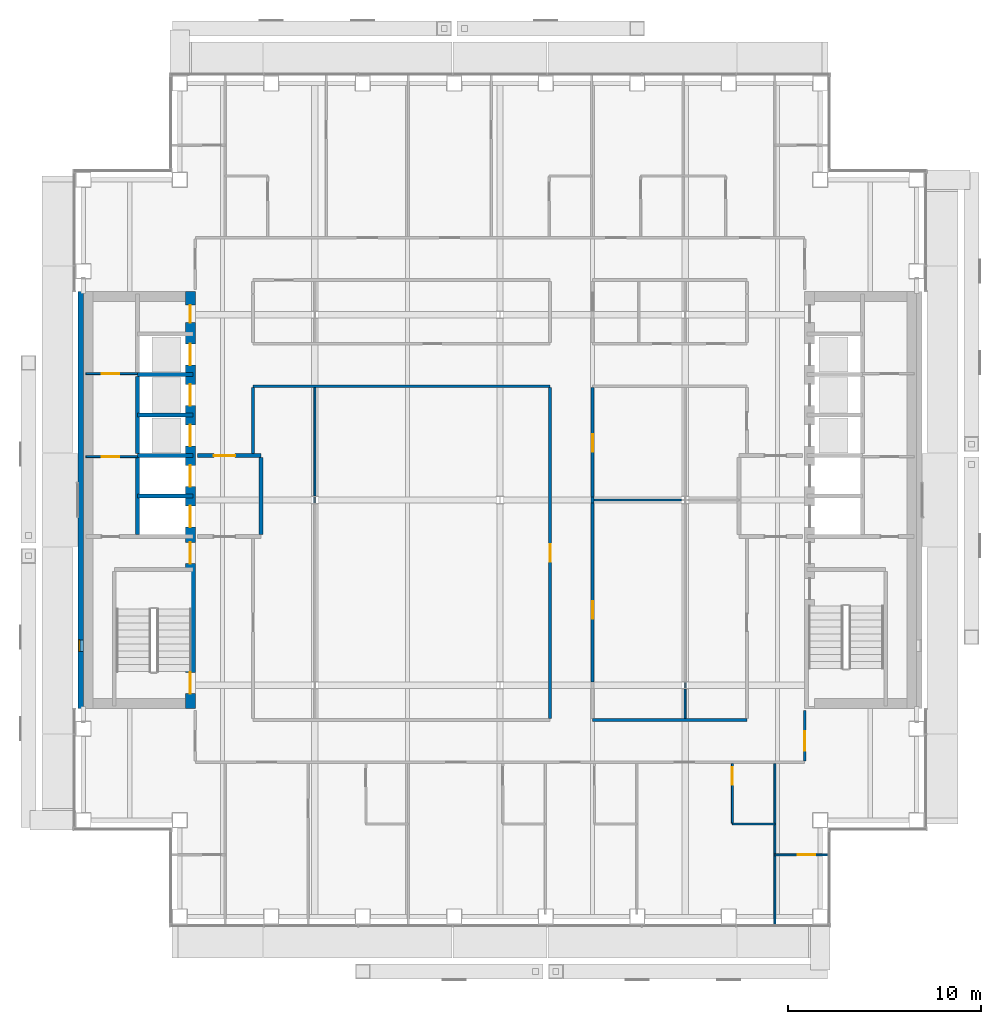
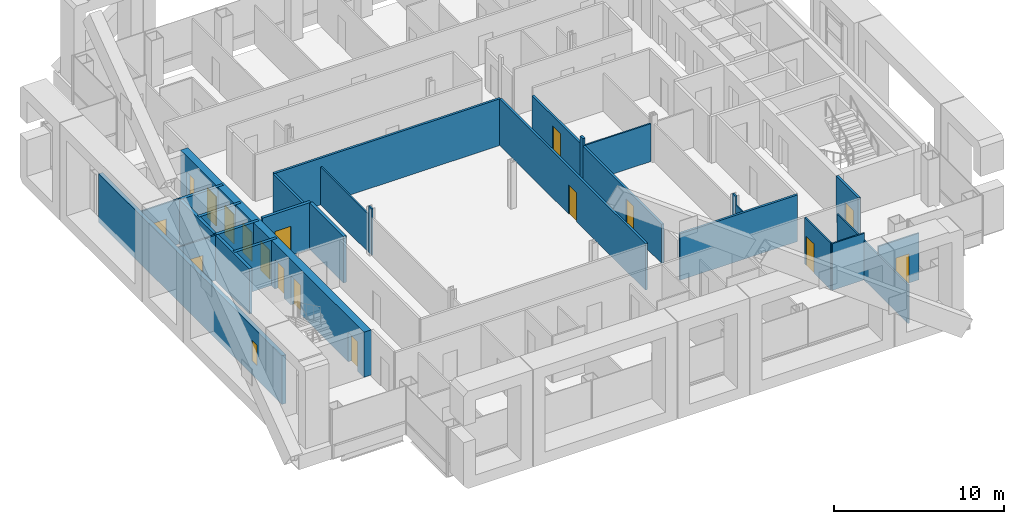
# One storey, part 13 of 22: 29 walls, 17 doors, 1 window, 18 openings.
"""IFC4 building model written with IfcOpenShell, lengths in metres."""

from ifc_helpers import new_model, si_unit, direction, frame, frame_2d, origin, place, context, subcontext, project, spatial, rectangle, extrude, material, layer, layer_set, type_object, element, fill, save


model = new_model("IFC4")

# Units and contexts
model_context = context("Model", 3, precision=1e-05, world=origin(), true_north=direction((0.0, 1.0)))
body_context = subcontext(model_context, "Body", "Model", "MODEL_VIEW")
ifc_project = project(units=[si_unit("LENGTHUNIT", "METRE"), si_unit("AREAUNIT", "SQUARE_METRE"), si_unit("VOLUMEUNIT", "CUBIC_METRE"), si_unit("PLANEANGLEUNIT", "RADIAN"), si_unit("MASSUNIT", "GRAM", prefix="KILO")], contexts=[model_context])

# Site, building, storey
site_placement = place(None, origin())
site = spatial("IfcSite", under=ifc_project, at=site_placement, CompositionType="ELEMENT")
building_placement = place(site_placement, origin())
building = spatial("IfcBuilding", under=site, at=building_placement, Name="Cobrizo Arcos Hotel Tower", CompositionType="ELEMENT")
storey_placement = place(building_placement, frame((0.0, 0.0, 155.0)))
storey = spatial("IfcBuildingStorey", under=building, at=storey_placement, Name="L39", CompositionType="ELEMENT", Elevation=155.0)

# Walls
ifc_material_1 = material(Name="Gypsum board partition")
ifc_layer_1 = layer(ifc_material_1, 0.14990234375)
ifc_layer_set_1 = layer_set([ifc_layer_1], Name="Corridor wall EI 60 150")
wall_type_1 = type_object("IfcWallType", Name="Corridor wall EI 60 150", PredefinedType="PARTITIONING", material=ifc_layer_set_1)
wall_1_placement = place(storey_placement, frame((4.800048828125, -11.39990234375, 0.0), z_axis=(0.0, 0.0, 1.0), x_axis=(1.0, 0.0, 0.0)))
element("IfcWall", 1, at=wall_1_placement, inside=storey, type_object=wall_type_1, Name="Partition 009", PredefinedType="PARTITIONING", context=body_context, shape_type="SweptSolid", body=[
    extrude(rectangle(XDim=8.0, YDim=0.14990234375, at=frame_2d((4.0, 0.0))), origin(), (0.0, 0.0, 1.0), 3.35009765625),
])
wall_2_placement = place(storey_placement, frame((-12.800048828125, 5.89990234375, 0.0), z_axis=(0.0, 0.0, 1.0), x_axis=(1.0, 0.0, 0.0)))
element("IfcWall", 2, at=wall_2_placement, inside=storey, type_object=wall_type_1, Name="Partition 029", PredefinedType="PARTITIONING", context=body_context, shape_type="SweptSolid", body=[
    extrude(rectangle(XDim=15.400146484375, YDim=0.14990234375, at=frame_2d((7.7001953125, 0.0))), origin(), (0.0, 0.0, 1.0), 3.35009765625),
])
wall_3_placement = place(storey_placement, frame((-12.800048828125, 2.39990234375, 0.0), z_axis=(0.0, 0.0, 1.0), x_axis=(0.0, 1.0, 0.0)))
element("IfcWall", 3, at=wall_3_placement, inside=storey, type_object=wall_type_1, Name="Partition 057", PredefinedType="PARTITIONING", context=body_context, shape_type="SweptSolid", body=[
    extrude(rectangle(XDim=3.425048828125, YDim=0.14990234375, at=frame_2d((1.71240234375, 0.0))), origin(), (0.0, 0.0, 1.0), 3.35009765625),
])

# Wall, opening, door
wall_4_placement = place(storey_placement, frame((2.60009765625, -11.324951171875, 0.0), z_axis=(0.0, 0.0, 1.0), x_axis=(0.0, 1.0, 0.0)))
wall_4 = element("IfcWall", 4, at=wall_4_placement, inside=storey, type_object=wall_type_1, Name="Partition 079", PredefinedType="PARTITIONING", context=body_context, shape_type="SweptSolid", body=[
    extrude(rectangle(XDim=17.14990234375, YDim=0.14990234375, at=frame_2d((8.574951171875, 0.0))), origin(), (0.0, 0.0, 1.0), 3.35009765625),
])
opening_1_placement = place(wall_4_placement, frame((8.125, 0.0, 0.0)))
opening_1 = element("IfcOpeningElement", 5, at=opening_1_placement, cuts=wall_4, Name="Opening RD-19", PredefinedType="OPENING", context=body_context, shape_type="SweptSolid", body=[
    extrude(rectangle(XDim=0.89990234375, YDim=2.10009765625, at=frame_2d((0.449951171875, 1.050048828125))), frame((0.0, 0.0869140625, 0.0), z_axis=(0.0, -1.0, 0.0), x_axis=(1.0, 0.0, 0.0)), (0.0, 0.0, 1.0), 0.173828125),
])
ifc_material_2 = material(Name="Timber door leaf", Category="wood")
door_type_1 = type_object("IfcDoorType", Name="Room door FD30 900x2100", OperationType="SINGLE_SWING_LEFT", PredefinedType="DOOR", material=ifc_material_2)
door_1_placement = place(opening_1_placement, origin())
door_1 = element("IfcDoor", 6, at=door_1_placement, inside=storey, type_object=door_type_1, Name="Door RD-19", OperationType="SINGLE_SWING_LEFT", OverallHeight=2.10009765625, OverallWidth=0.89990234375, PredefinedType="DOOR", context=body_context, shape_type="SweptSolid", body=[
    extrude(rectangle(XDim=0.89990234375, YDim=2.10009765625, at=frame_2d((0.449951171875, 1.050048828125))), frame((0.0, 0.02490234375, 0.0), z_axis=(0.0, -1.0, 0.0), x_axis=(1.0, 0.0, 0.0)), (0.0, 0.0, 1.0), 0.050048828125),
])
fill(opening_1, door_1)

wall_5_placement = place(storey_placement, frame((4.800048828125, -9.43603515625, 0.0), z_axis=(0.0, 0.0, 1.0), x_axis=(0.0, 1.0, 0.0)))
wall_5 = element("IfcWall", 7, at=wall_5_placement, inside=storey, type_object=wall_type_1, Name="Partition 084", PredefinedType="PARTITIONING", context=body_context, shape_type="SweptSolid", body=[
    extrude(rectangle(XDim=9.27197265625, YDim=0.14990234375, at=frame_2d((4.635986328125, 0.0))), origin(), (0.0, 0.0, 1.0), 2.81689453125),
])
opening_2_placement = place(wall_5_placement, frame((3.285888671875, 0.0, 0.0)))
opening_2 = element("IfcOpeningElement", 8, at=opening_2_placement, cuts=wall_5, Name="Opening RD-18", PredefinedType="OPENING", context=body_context, shape_type="SweptSolid", body=[
    extrude(rectangle(XDim=0.89990234375, YDim=2.10009765625, at=frame_2d((0.449951171875, 1.050048828125))), frame((0.0, 0.0869140625, 0.0), z_axis=(0.0, -1.0, 0.0), x_axis=(1.0, 0.0, 0.0)), (0.0, 0.0, 1.0), 0.173828125),
])
door_2_placement = place(opening_2_placement, origin())
door_2 = element("IfcDoor", 9, at=door_2_placement, inside=storey, type_object=door_type_1, Name="Door RD-18", OperationType="SINGLE_SWING_LEFT", OverallHeight=2.10009765625, OverallWidth=0.89990234375, PredefinedType="DOOR", context=body_context, shape_type="SweptSolid", body=[
    extrude(rectangle(XDim=0.89990234375, YDim=2.10009765625, at=frame_2d((0.449951171875, 1.050048828125))), frame((0.0, 0.02490234375, 0.0), z_axis=(0.0, -1.0, 0.0), x_axis=(1.0, 0.0, 0.0)), (0.0, 0.0, 1.0), 0.050048828125),
])
fill(opening_2, door_2)

# Wall
wall_6_placement = place(storey_placement, frame((4.800048828125, -0.1640625, 0.0), z_axis=(0.0, 0.0, 1.0), x_axis=(0.0, 1.0, 0.0)))
element("IfcWall", 10, at=wall_6_placement, inside=storey, type_object=wall_type_1, Name="Partition 085", PredefinedType="PARTITIONING", context=body_context, shape_type="SweptSolid", body=[
    extrude(rectangle(XDim=0.328125, YDim=0.14990234375, at=frame_2d((0.1640625, 0.0))), origin(), (0.0, 0.0, 1.0), 3.35009765625),
])

# Wall, opening, door
wall_7_placement = place(storey_placement, frame((4.800048828125, 0.1640625, 0.0), z_axis=(0.0, 0.0, 1.0), x_axis=(0.0, 1.0, 0.0)))
wall_7 = element("IfcWall", 11, at=wall_7_placement, inside=storey, type_object=wall_type_1, Name="Partition 086", PredefinedType="PARTITIONING", context=body_context, shape_type="SweptSolid", body=[
    extrude(rectangle(XDim=5.660888671875, YDim=0.14990234375, at=frame_2d((2.83056640625, 0.0))), origin(), (0.0, 0.0, 1.0), 2.81689453125),
])
opening_3_placement = place(wall_7_placement, frame((2.3359375, 0.0, 0.0)))
opening_3 = element("IfcOpeningElement", 12, at=opening_3_placement, cuts=wall_7, Name="Opening RD-14", PredefinedType="OPENING", context=body_context, shape_type="SweptSolid", body=[
    extrude(rectangle(XDim=0.89990234375, YDim=2.10009765625, at=frame_2d((0.449951171875, 1.050048828125))), frame((0.0, 0.0869140625, 0.0), z_axis=(0.0, -1.0, 0.0), x_axis=(1.0, 0.0, 0.0)), (0.0, 0.0, 1.0), 0.173828125),
])
door_3_placement = place(opening_3_placement, origin())
door_3 = element("IfcDoor", 13, at=door_3_placement, inside=storey, type_object=door_type_1, Name="Door RD-14", OperationType="SINGLE_SWING_RIGHT", OverallHeight=2.10009765625, OverallWidth=0.89990234375, PredefinedType="DOOR", context=body_context, shape_type="SweptSolid", body=[
    extrude(rectangle(XDim=0.89990234375, YDim=2.10009765625, at=frame_2d((0.449951171875, 1.050048828125))), frame((0.0, 0.02490234375, 0.0), z_axis=(0.0, -1.0, 0.0), x_axis=(1.0, 0.0, 0.0)), (0.0, 0.0, 1.0), 0.050048828125),
])
fill(opening_3, door_3)

wall_8_placement = place(storey_placement, frame((15.800048828125, -13.52490234375, 0.0), z_axis=(0.0, 0.0, 1.0), x_axis=(0.0, 1.0, 0.0)))
wall_8 = element("IfcWall", 14, at=wall_8_placement, inside=storey, type_object=wall_type_1, Name="Partition 112", PredefinedType="PARTITIONING", context=body_context, shape_type="SweptSolid", body=[
    extrude(rectangle(XDim=2.60498046875, YDim=0.14990234375, at=frame_2d((1.302490234375, 0.0))), origin(), (0.0, 0.0, 1.0), 3.35009765625),
])
opening_4_placement = place(wall_8_placement, frame((0.52490234375, 0.0, 0.0)))
opening_4 = element("IfcOpeningElement", 15, at=opening_4_placement, cuts=wall_8, Name="Opening GD-11", PredefinedType="OPENING", context=body_context, shape_type="SweptSolid", body=[
    extrude(rectangle(XDim=1.0, YDim=2.10009765625, at=frame_2d((0.5, 1.050048828125))), frame((0.0, 0.0869140625, 0.0), z_axis=(0.0, -1.0, 0.0), x_axis=(1.0, 0.0, 0.0)), (0.0, 0.0, 1.0), 0.173828125),
])
door_type_2 = type_object("IfcDoorType", Name="Guest room door FD30S 1000x2100", OperationType="SINGLE_SWING_LEFT", PredefinedType="DOOR", material=ifc_material_2)
door_4_placement = place(opening_4_placement, origin())
door_4 = element("IfcDoor", 16, at=door_4_placement, inside=storey, type_object=door_type_2, Name="Door GD-11", OperationType="SINGLE_SWING_LEFT", OverallHeight=2.10009765625, OverallWidth=1.0, PredefinedType="DOOR", context=body_context, shape_type="SweptSolid", body=[
    extrude(rectangle(XDim=1.0, YDim=2.10009765625, at=frame_2d((0.5, 1.050048828125))), frame((0.0, 0.02490234375, 0.0), z_axis=(0.0, -1.0, 0.0), x_axis=(1.0, 0.0, 0.0)), (0.0, 0.0, 1.0), 0.050048828125),
])
fill(opening_4, door_4)

# Wall, opening, window
ifc_material_3 = material(Name="Aluminium composite panel pale metal", Category="aluminium")
ifc_layer_2 = layer(ifc_material_3, 0.27490234375)
ifc_layer_set_2 = layer_set([ifc_layer_2], Name="EW-1 insulated panel wall 275")
wall_type_2 = type_object("IfcWallType", Name="EW-1 insulated panel wall 275", PredefinedType="SOLIDWALL", material=ifc_layer_set_2)
wall_9_placement = place(storey_placement, frame((-21.737548828125, 10.800048828125, 0.0), z_axis=(0.0, 0.0, 1.0), x_axis=(0.0, -1.0, 0.0)))
wall_9 = element("IfcWall", 17, at=wall_9_placement, inside=storey, type_object=wall_type_2, Name="Core face wall L39 W", PredefinedType="SOLIDWALL", context=body_context, shape_type="SweptSolid", body=[
    extrude(rectangle(XDim=21.60009765625, YDim=0.27490234375, at=frame_2d((10.800048828125, 0.0))), origin(), (0.0, 0.0, 1.0), 3.5),
])
opening_5_placement = place(wall_9_placement, frame((18.050048828125, 0.0, 1.0)))
opening_5 = element("IfcOpeningElement", 18, at=opening_5_placement, cuts=wall_9, Name="Opening W-86", PredefinedType="OPENING", context=body_context, shape_type="SweptSolid", body=[
    extrude(rectangle(XDim=0.60009765625, YDim=1.5, at=frame_2d((0.300048828125, 0.75))), frame((0.0, 0.1494140625, 0.0), z_axis=(0.0, -1.0, 0.0), x_axis=(1.0, 0.0, 0.0)), (0.0, 0.0, 1.0), 0.298828125),
])
ifc_material_4 = material(Name="Aluminium 6063-T6 and clear laminated glass", Category="aluminium")
window_type = type_object("IfcWindowType", Name="W-C1 core stair slot window 600x1500", PartitioningType="SINGLE_PANEL", PredefinedType="WINDOW", material=ifc_material_4)
window_placement = place(opening_5_placement, origin())
window = element("IfcWindow", 19, at=window_placement, inside=storey, type_object=window_type, Name="Core face wall L39 W window W-86", OverallHeight=1.5, OverallWidth=0.60009765625, PartitioningType="SINGLE_PANEL", PredefinedType="WINDOW", context=body_context, shape_type="SweptSolid", body=[
    extrude(rectangle(XDim=0.60009765625, YDim=1.5, at=frame_2d((0.300048828125, 0.75))), frame((0.0, -0.04736328125, 0.0), z_axis=(0.0, -1.0, 0.0), x_axis=(1.0, 0.0, 0.0)), (0.0, 0.0, 1.0), 0.06005859375),
])
fill(opening_5, window)

# Wall, opening, door
ifc_layer_3 = layer(ifc_material_1, 0.10009765625)
ifc_layer_set_3 = layer_set([ifc_layer_3], Name="Partition EI 30 100")
wall_type_3 = type_object("IfcWallType", Name="Partition EI 30 100", PredefinedType="PARTITIONING", material=ifc_layer_set_3)
wall_10_placement = place(storey_placement, frame((14.25, -18.39990234375, 0.0), z_axis=(0.0, 0.0, 1.0), x_axis=(1.0, 0.0, 0.0)))
wall_10 = element("IfcWall", 20, at=wall_10_placement, inside=storey, type_object=wall_type_3, Name="Partition 002", PredefinedType="PARTITIONING", context=body_context, shape_type="SweptSolid", body=[
    extrude(rectangle(XDim=2.780029296875, YDim=0.10009765625, at=frame_2d((1.39013671875, 0.0))), origin(), (0.0, 0.0, 1.0), 3.35009765625),
])
opening_6_placement = place(wall_10_placement, frame((1.18896484375, 0.0, 0.0)))
opening_6 = element("IfcOpeningElement", 21, at=opening_6_placement, cuts=wall_10, Name="Opening ED-12", PredefinedType="OPENING", context=body_context, shape_type="SweptSolid", body=[
    extrude(rectangle(XDim=0.89990234375, YDim=2.10009765625, at=frame_2d((0.449951171875, 1.050048828125))), frame((0.0, 0.06201171875, 0.0), z_axis=(0.0, -1.0, 0.0), x_axis=(1.0, 0.0, 0.0)), (0.0, 0.0, 1.0), 0.1240234375),
])
door_type_3 = type_object("IfcDoorType", Name="En-suite door 900x2100", OperationType="SINGLE_SWING_LEFT", PredefinedType="DOOR", material=ifc_material_2)
door_5_placement = place(opening_6_placement, origin())
door_5 = element("IfcDoor", 22, at=door_5_placement, inside=storey, type_object=door_type_3, Name="Door ED-12", OperationType="SINGLE_SWING_LEFT", OverallHeight=2.10009765625, OverallWidth=0.89990234375, PredefinedType="DOOR", context=body_context, shape_type="SweptSolid", body=[
    extrude(rectangle(XDim=0.89990234375, YDim=2.10009765625, at=frame_2d((0.449951171875, 1.050048828125))), frame((0.0, 0.02490234375, 0.0), z_axis=(0.0, -1.0, 0.0), x_axis=(1.0, 0.0, 0.0)), (0.0, 0.0, 1.0), 0.050048828125),
])
fill(opening_6, door_5)

# Walls
wall_11_placement = place(storey_placement, frame((12.050048828125, -16.800048828125, 0.0), z_axis=(0.0, 0.0, 1.0), x_axis=(1.0, 0.0, 0.0)))
element("IfcWall", 23, at=wall_11_placement, inside=storey, type_object=wall_type_3, Name="Partition 006", PredefinedType="PARTITIONING", context=body_context, shape_type="SweptSolid", body=[
    extrude(rectangle(XDim=2.199951171875, YDim=0.10009765625, at=frame_2d((1.10009765625, 0.0))), origin(), (0.0, 0.0, 1.0), 3.35009765625),
])
wall_12_placement = place(storey_placement, frame((4.800048828125, 0.0, 0.0), z_axis=(0.0, 0.0, 1.0), x_axis=(1.0, 0.0, 0.0)))
element("IfcWall", 24, at=wall_12_placement, inside=storey, type_object=wall_type_3, Name="Partition 016", PredefinedType="PARTITIONING", context=body_context, shape_type="SweptSolid", body=[
    extrude(rectangle(XDim=4.613037109375, YDim=0.10009765625, at=frame_2d((2.306640625, 0.0))), origin(), (0.0, 0.0, 1.0), 2.72802734375),
])

# Wall, opening, door
wall_13_placement = place(storey_placement, frame((-21.47998046875, 2.25, 0.0), z_axis=(0.0, 0.0, 1.0), x_axis=(1.0, 0.0, 0.0)))
wall_13 = element("IfcWall", 25, at=wall_13_placement, inside=storey, type_object=wall_type_3, Name="Partition 021", PredefinedType="PARTITIONING", context=body_context, shape_type="SweptSolid", body=[
    extrude(rectangle(XDim=2.679931640625, YDim=0.10009765625, at=frame_2d((1.33984375, 0.0))), origin(), (0.0, 0.0, 1.0), 3.25),
])
opening_7_placement = place(wall_13_placement, frame((0.830078125, 0.0, 0.0)))
opening_7 = element("IfcOpeningElement", 26, at=opening_7_placement, cuts=wall_13, Name="Opening RD-02", PredefinedType="OPENING", context=body_context, shape_type="SweptSolid", body=[
    extrude(rectangle(XDim=0.89990234375, YDim=2.10009765625, at=frame_2d((0.449951171875, 1.050048828125))), frame((0.0, 0.06201171875, 0.0), z_axis=(0.0, -1.0, 0.0), x_axis=(1.0, 0.0, 0.0)), (0.0, 0.0, 1.0), 0.1240234375),
])
door_6_placement = place(opening_7_placement, origin())
door_6 = element("IfcDoor", 27, at=door_6_placement, inside=storey, type_object=door_type_1, Name="Door RD-02", OperationType="SINGLE_SWING_RIGHT", OverallHeight=2.10009765625, OverallWidth=0.89990234375, PredefinedType="DOOR", context=body_context, shape_type="SweptSolid", body=[
    extrude(rectangle(XDim=0.89990234375, YDim=2.10009765625, at=frame_2d((0.449951171875, 1.050048828125))), frame((0.0, 0.02490234375, 0.0), z_axis=(0.0, -1.0, 0.0), x_axis=(1.0, 0.0, 0.0)), (0.0, 0.0, 1.0), 0.050048828125),
])
fill(opening_7, door_6)

wall_14_placement = place(storey_placement, frame((-21.47998046875, 6.550048828125, 0.0), z_axis=(0.0, 0.0, 1.0), x_axis=(1.0, 0.0, 0.0)))
wall_14 = element("IfcWall", 28, at=wall_14_placement, inside=storey, type_object=wall_type_3, Name="Partition 033", PredefinedType="PARTITIONING", context=body_context, shape_type="SweptSolid", body=[
    extrude(rectangle(XDim=2.679931640625, YDim=0.10009765625, at=frame_2d((1.33984375, 0.0))), origin(), (0.0, 0.0, 1.0), 3.25),
])
opening_8_placement = place(wall_14_placement, frame((0.830078125, 0.0, 0.0)))
opening_8 = element("IfcOpeningElement", 29, at=opening_8_placement, cuts=wall_14, Name="Opening RD-03", PredefinedType="OPENING", context=body_context, shape_type="SweptSolid", body=[
    extrude(rectangle(XDim=0.89990234375, YDim=2.10009765625, at=frame_2d((0.449951171875, 1.050048828125))), frame((0.0, 0.06201171875, 0.0), z_axis=(0.0, -1.0, 0.0), x_axis=(1.0, 0.0, 0.0)), (0.0, 0.0, 1.0), 0.1240234375),
])
door_7_placement = place(opening_8_placement, origin())
door_7 = element("IfcDoor", 30, at=door_7_placement, inside=storey, type_object=door_type_1, Name="Door RD-03", OperationType="SINGLE_SWING_LEFT", OverallHeight=2.10009765625, OverallWidth=0.89990234375, PredefinedType="DOOR", context=body_context, shape_type="SweptSolid", body=[
    extrude(rectangle(XDim=0.89990234375, YDim=2.10009765625, at=frame_2d((0.449951171875, 1.050048828125))), frame((0.0, 0.02490234375, 0.0), z_axis=(0.0, -1.0, 0.0), x_axis=(1.0, 0.0, 0.0)), (0.0, 0.0, 1.0), 0.050048828125),
])
fill(opening_8, door_7)

# Walls
wall_15_placement = place(storey_placement, frame((-9.60009765625, -0.18701171875, 0.0), z_axis=(0.0, 0.0, 1.0), x_axis=(0.0, 1.0, 0.0)))
element("IfcWall", 31, at=wall_15_placement, inside=storey, type_object=wall_type_3, Name="Partition 066", PredefinedType="PARTITIONING", context=body_context, shape_type="SweptSolid", body=[
    extrude(rectangle(XDim=0.3740234375, YDim=0.10009765625, at=frame_2d((0.18701171875, 0.0))), origin(), (0.0, 0.0, 1.0), 3.35009765625),
])
wall_16_placement = place(storey_placement, frame((-9.60009765625, 0.18701171875, 0.0), z_axis=(0.0, 0.0, 1.0), x_axis=(0.0, 1.0, 0.0)))
element("IfcWall", 32, at=wall_16_placement, inside=storey, type_object=wall_type_3, Name="Partition 067", PredefinedType="PARTITIONING", context=body_context, shape_type="SweptSolid", body=[
    extrude(rectangle(XDim=5.637939453125, YDim=0.10009765625, at=frame_2d((2.81884765625, 0.0))), origin(), (0.0, 0.0, 1.0), 2.72802734375),
])
wall_17_placement = place(storey_placement, frame((9.60009765625, -11.324951171875, 0.0), z_axis=(0.0, 0.0, 1.0), x_axis=(0.0, 1.0, 0.0)))
element("IfcWall", 33, at=wall_17_placement, inside=storey, type_object=wall_type_3, Name="Partition 096", PredefinedType="PARTITIONING", context=body_context, shape_type="SweptSolid", body=[
    extrude(rectangle(XDim=1.537841796875, YDim=0.10009765625, at=frame_2d((0.76904296875, 0.0))), origin(), (0.0, 0.0, 1.0), 2.72802734375),
])
wall_18_placement = place(storey_placement, frame((9.60009765625, -9.787109375, 0.0), z_axis=(0.0, 0.0, 1.0), x_axis=(0.0, 1.0, 0.0)))
element("IfcWall", 34, at=wall_18_placement, inside=storey, type_object=wall_type_3, Name="Partition 097", PredefinedType="PARTITIONING", context=body_context, shape_type="SweptSolid", body=[
    extrude(rectangle(XDim=0.3740234375, YDim=0.10009765625, at=frame_2d((0.18701171875, 0.0))), origin(), (0.0, 0.0, 1.0), 3.35009765625),
])

# Wall, opening, door
wall_19_placement = place(storey_placement, frame((12.050048828125, -16.75, 0.0), z_axis=(0.0, 0.0, 1.0), x_axis=(0.0, 1.0, 0.0)))
wall_19 = element("IfcWall", 35, at=wall_19_placement, inside=storey, type_object=wall_type_3, Name="Partition 104", PredefinedType="PARTITIONING", context=body_context, shape_type="SweptSolid", body=[
    extrude(rectangle(XDim=3.074951171875, YDim=0.10009765625, at=frame_2d((1.53759765625, 0.0))), origin(), (0.0, 0.0, 1.0), 3.35009765625),
])
opening_9_placement = place(wall_19_placement, frame((1.99609375, 0.0, 0.0)))
opening_9 = element("IfcOpeningElement", 36, at=opening_9_placement, cuts=wall_19, Name="Opening ED-09", PredefinedType="OPENING", context=body_context, shape_type="SweptSolid", body=[
    extrude(rectangle(XDim=0.89990234375, YDim=2.10009765625, at=frame_2d((0.449951171875, 1.050048828125))), frame((0.0, 0.06201171875, 0.0), z_axis=(0.0, -1.0, 0.0), x_axis=(1.0, 0.0, 0.0)), (0.0, 0.0, 1.0), 0.1240234375),
])
door_8_placement = place(opening_9_placement, origin())
door_8 = element("IfcDoor", 37, at=door_8_placement, inside=storey, type_object=door_type_3, Name="Door ED-09", OperationType="SINGLE_SWING_LEFT", OverallHeight=2.10009765625, OverallWidth=0.89990234375, PredefinedType="DOOR", context=body_context, shape_type="SweptSolid", body=[
    extrude(rectangle(XDim=0.89990234375, YDim=2.10009765625, at=frame_2d((0.449951171875, 1.050048828125))), frame((0.0, 0.02490234375, 0.0), z_axis=(0.0, -1.0, 0.0), x_axis=(1.0, 0.0, 0.0)), (0.0, 0.0, 1.0), 0.050048828125),
])
fill(opening_9, door_8)

# Wall
wall_20_placement = place(storey_placement, frame((14.25, -22.030029296875, 0.0), z_axis=(0.0, 0.0, 1.0), x_axis=(0.0, 1.0, 0.0)))
element("IfcWall", 38, at=wall_20_placement, inside=storey, type_object=wall_type_3, Name="Partition 110", PredefinedType="PARTITIONING", context=body_context, shape_type="SweptSolid", body=[
    extrude(rectangle(XDim=8.35498046875, YDim=0.10009765625, at=frame_2d((4.177490234375, 0.0))), origin(), (0.0, 0.0, 1.0), 2.81689453125),
])

# Wall, openings, doors
ifc_material_5 = material(Name="Concrete f'c 50 MPa", Category="concrete")
ifc_layer_4 = layer(ifc_material_5, 0.5)
ifc_layer_set_4 = layer_set([ifc_layer_4], Name="RC core wall 500 f'c 50")
wall_type_4 = type_object("IfcWallType", Name="RC core wall 500 f'c 50", PredefinedType="SHEAR", material=ifc_layer_set_4)
wall_21_placement = place(storey_placement, frame((-16.050048828125, -10.800048828125, 0.0), z_axis=(0.0, 0.0, 1.0), x_axis=(0.0, 1.0, 0.0)))
wall_21 = element("IfcWall", 39, at=wall_21_placement, inside=storey, type_object=wall_type_4, Name="Core wall CW3, west core, inner face, L39", PredefinedType="SHEAR", context=body_context, shape_type="SweptSolid", body=[
    extrude(rectangle(XDim=21.60009765625, YDim=0.5, at=frame_2d((10.800048828125, 0.0))), origin(), (0.0, 0.0, 1.0), 3.25),
])
opening_10_placement = place(wall_21_placement, frame((9.39990234375, 0.0, 0.0)))
opening_10 = element("IfcOpeningElement", 40, at=opening_10_placement, cuts=wall_21, Name="Opening LD-01", PredefinedType="OPENING", context=body_context, shape_type="SweptSolid", body=[
    extrude(rectangle(XDim=1.10009765625, YDim=2.10009765625, at=frame_2d((0.550048828125, 1.050048828125))), frame((0.0, 0.261962890625, 0.0), z_axis=(0.0, -1.0, 0.0), x_axis=(1.0, 0.0, 0.0)), (0.0, 0.0, 1.0), 0.52392578125),
])
opening_11_placement = place(wall_21_placement, frame((11.5, 0.0, 0.0)))
opening_11 = element("IfcOpeningElement", 41, at=opening_11_placement, cuts=wall_21, Name="Opening LD-02", PredefinedType="OPENING", context=body_context, shape_type="SweptSolid", body=[
    extrude(rectangle(XDim=1.10009765625, YDim=2.10009765625, at=frame_2d((0.550048828125, 1.050048828125))), frame((0.0, 0.261962890625, 0.0), z_axis=(0.0, -1.0, 0.0), x_axis=(1.0, 0.0, 0.0)), (0.0, 0.0, 1.0), 0.52392578125),
])
opening_12_placement = place(wall_21_placement, frame((13.60009765625, 0.0, 0.0)))
opening_12 = element("IfcOpeningElement", 42, at=opening_12_placement, cuts=wall_21, Name="Opening LD-03", PredefinedType="OPENING", context=body_context, shape_type="SweptSolid", body=[
    extrude(rectangle(XDim=1.10009765625, YDim=2.10009765625, at=frame_2d((0.550048828125, 1.050048828125))), frame((0.0, 0.261962890625, 0.0), z_axis=(0.0, -1.0, 0.0), x_axis=(1.0, 0.0, 0.0)), (0.0, 0.0, 1.0), 0.52392578125),
])
opening_13_placement = place(wall_21_placement, frame((15.699951171875, 0.0, 0.0)))
opening_13 = element("IfcOpeningElement", 43, at=opening_13_placement, cuts=wall_21, Name="Opening LD-04", PredefinedType="OPENING", context=body_context, shape_type="SweptSolid", body=[
    extrude(rectangle(XDim=1.10009765625, YDim=2.10009765625, at=frame_2d((0.550048828125, 1.050048828125))), frame((0.0, 0.261962890625, 0.0), z_axis=(0.0, -1.0, 0.0), x_axis=(1.0, 0.0, 0.0)), (0.0, 0.0, 1.0), 0.52392578125),
])
opening_14_placement = place(wall_21_placement, frame((17.800048828125, 0.0, 0.0)))
opening_14 = element("IfcOpeningElement", 44, at=opening_14_placement, cuts=wall_21, Name="Opening LD-05", PredefinedType="OPENING", context=body_context, shape_type="SweptSolid", body=[
    extrude(rectangle(XDim=1.10009765625, YDim=2.10009765625, at=frame_2d((0.550048828125, 1.050048828125))), frame((0.0, 0.261962890625, 0.0), z_axis=(0.0, -1.0, 0.0), x_axis=(1.0, 0.0, 0.0)), (0.0, 0.0, 1.0), 0.52392578125),
])
opening_15_placement = place(wall_21_placement, frame((0.758056640625, 0.0, 0.0)))
opening_15 = element("IfcOpeningElement", 45, at=opening_15_placement, cuts=wall_21, Name="Opening SD-01", PredefinedType="OPENING", context=body_context, shape_type="SweptSolid", body=[
    extrude(rectangle(XDim=1.10009765625, YDim=2.10009765625, at=frame_2d((0.550048828125, 1.050048828125))), frame((0.0, 0.261962890625, 0.0), z_axis=(0.0, -1.0, 0.0), x_axis=(1.0, 0.0, 0.0)), (0.0, 0.0, 1.0), 0.52392578125),
])
opening_16_placement = place(wall_21_placement, frame((7.5, 0.0, 0.0)))
opening_16 = element("IfcOpeningElement", 46, at=opening_16_placement, cuts=wall_21, Name="Opening FD-01", PredefinedType="OPENING", context=body_context, shape_type="SweptSolid", body=[
    extrude(rectangle(XDim=1.10009765625, YDim=2.10009765625, at=frame_2d((0.550048828125, 1.050048828125))), frame((0.0, 0.261962890625, 0.0), z_axis=(0.0, -1.0, 0.0), x_axis=(1.0, 0.0, 0.0)), (0.0, 0.0, 1.0), 0.52392578125),
])
opening_17_placement = place(wall_21_placement, frame((20.0, 0.0, 0.0)))
opening_17 = element("IfcOpeningElement", 47, at=opening_17_placement, cuts=wall_21, Name="Opening ED-01", PredefinedType="OPENING", context=body_context, shape_type="SweptSolid", body=[
    extrude(rectangle(XDim=0.89990234375, YDim=2.10009765625, at=frame_2d((0.449951171875, 1.050048828125))), frame((0.0, 0.261962890625, 0.0), z_axis=(0.0, -1.0, 0.0), x_axis=(1.0, 0.0, 0.0)), (0.0, 0.0, 1.0), 0.52392578125),
])
door_9_placement = place(opening_17_placement, origin())
door_9 = element("IfcDoor", 48, at=door_9_placement, inside=storey, type_object=door_type_3, Name="Door ED-01", OperationType="SINGLE_SWING_LEFT", OverallHeight=2.10009765625, OverallWidth=0.89990234375, PredefinedType="DOOR", context=body_context, shape_type="SweptSolid", body=[
    extrude(rectangle(XDim=0.89990234375, YDim=2.10009765625, at=frame_2d((0.449951171875, 1.050048828125))), frame((0.0, 0.02490234375, 0.0), z_axis=(0.0, -1.0, 0.0), x_axis=(1.0, 0.0, 0.0)), (0.0, 0.0, 1.0), 0.050048828125),
])
fill(opening_17, door_9)
ifc_material_6 = material(Name="Steel door leaf", Category="steel")
door_type_4 = type_object("IfcDoorType", Name="Fire door FD60 1100x2100", OperationType="SINGLE_SWING_LEFT", PredefinedType="DOOR", material=ifc_material_6)
door_10_placement = place(opening_16_placement, origin())
door_10 = element("IfcDoor", 49, at=door_10_placement, inside=storey, type_object=door_type_4, Name="Door FD-01", OperationType="SINGLE_SWING_RIGHT", OverallHeight=2.10009765625, OverallWidth=1.10009765625, PredefinedType="DOOR", context=body_context, shape_type="SweptSolid", body=[
    extrude(rectangle(XDim=1.10009765625, YDim=2.10009765625, at=frame_2d((0.550048828125, 1.050048828125))), frame((0.0, 0.02490234375, 0.0), z_axis=(0.0, -1.0, 0.0), x_axis=(1.0, 0.0, 0.0)), (0.0, 0.0, 1.0), 0.050048828125),
])
fill(opening_16, door_10)
door_type_5 = type_object("IfcDoorType", Name="Lift landing door 1100x2100", OperationType="SLIDING_TO_LEFT", PredefinedType="DOOR", material=ifc_material_6)
door_11_placement = place(opening_10_placement, origin())
door_11 = element("IfcDoor", 50, at=door_11_placement, inside=storey, type_object=door_type_5, Name="Lift landing door LD-01", OperationType="SLIDING_TO_LEFT", OverallHeight=2.10009765625, OverallWidth=1.10009765625, PredefinedType="DOOR", context=body_context, shape_type="SweptSolid", body=[
    extrude(rectangle(XDim=1.10009765625, YDim=2.10009765625, at=frame_2d((0.550048828125, 1.050048828125))), frame((0.0, 0.02490234375, 0.0), z_axis=(0.0, -1.0, 0.0), x_axis=(1.0, 0.0, 0.0)), (0.0, 0.0, 1.0), 0.050048828125),
])
fill(opening_10, door_11)
door_12_placement = place(opening_11_placement, origin())
door_12 = element("IfcDoor", 51, at=door_12_placement, inside=storey, type_object=door_type_5, Name="Lift landing door LD-02", OperationType="SLIDING_TO_LEFT", OverallHeight=2.10009765625, OverallWidth=1.10009765625, PredefinedType="DOOR", context=body_context, shape_type="SweptSolid", body=[
    extrude(rectangle(XDim=1.10009765625, YDim=2.10009765625, at=frame_2d((0.550048828125, 1.050048828125))), frame((0.0, 0.02490234375, 0.0), z_axis=(0.0, -1.0, 0.0), x_axis=(1.0, 0.0, 0.0)), (0.0, 0.0, 1.0), 0.050048828125),
])
fill(opening_11, door_12)
door_13_placement = place(opening_12_placement, origin())
door_13 = element("IfcDoor", 52, at=door_13_placement, inside=storey, type_object=door_type_5, Name="Lift landing door LD-03", OperationType="SLIDING_TO_LEFT", OverallHeight=2.10009765625, OverallWidth=1.10009765625, PredefinedType="DOOR", context=body_context, shape_type="SweptSolid", body=[
    extrude(rectangle(XDim=1.10009765625, YDim=2.10009765625, at=frame_2d((0.550048828125, 1.050048828125))), frame((0.0, 0.02490234375, 0.0), z_axis=(0.0, -1.0, 0.0), x_axis=(1.0, 0.0, 0.0)), (0.0, 0.0, 1.0), 0.050048828125),
])
fill(opening_12, door_13)
door_14_placement = place(opening_13_placement, origin())
door_14 = element("IfcDoor", 53, at=door_14_placement, inside=storey, type_object=door_type_5, Name="Lift landing door LD-04", OperationType="SLIDING_TO_LEFT", OverallHeight=2.10009765625, OverallWidth=1.10009765625, PredefinedType="DOOR", context=body_context, shape_type="SweptSolid", body=[
    extrude(rectangle(XDim=1.10009765625, YDim=2.10009765625, at=frame_2d((0.550048828125, 1.050048828125))), frame((0.0, 0.02490234375, 0.0), z_axis=(0.0, -1.0, 0.0), x_axis=(1.0, 0.0, 0.0)), (0.0, 0.0, 1.0), 0.050048828125),
])
fill(opening_13, door_14)
door_15_placement = place(opening_14_placement, origin())
door_15 = element("IfcDoor", 54, at=door_15_placement, inside=storey, type_object=door_type_5, Name="Lift landing door LD-05", OperationType="SLIDING_TO_LEFT", OverallHeight=2.10009765625, OverallWidth=1.10009765625, PredefinedType="DOOR", context=body_context, shape_type="SweptSolid", body=[
    extrude(rectangle(XDim=1.10009765625, YDim=2.10009765625, at=frame_2d((0.550048828125, 1.050048828125))), frame((0.0, 0.02490234375, 0.0), z_axis=(0.0, -1.0, 0.0), x_axis=(1.0, 0.0, 0.0)), (0.0, 0.0, 1.0), 0.050048828125),
])
fill(opening_14, door_15)
door_type_6 = type_object("IfcDoorType", Name="Stair door FD60S 1100x2100", OperationType="SINGLE_SWING_LEFT", PredefinedType="DOOR", material=ifc_material_6)
door_16_placement = place(opening_15_placement, origin())
door_16 = element("IfcDoor", 55, at=door_16_placement, inside=storey, type_object=door_type_6, Name="Door SD-01", OperationType="SINGLE_SWING_RIGHT", OverallHeight=2.10009765625, OverallWidth=1.10009765625, PredefinedType="DOOR", context=body_context, shape_type="SweptSolid", body=[
    extrude(rectangle(XDim=1.10009765625, YDim=2.10009765625, at=frame_2d((0.550048828125, 1.050048828125))), frame((0.0, 0.02490234375, 0.0), z_axis=(0.0, -1.0, 0.0), x_axis=(1.0, 0.0, 0.0)), (0.0, 0.0, 1.0), 0.050048828125),
])
fill(opening_15, door_16)

# Walls
ifc_layer_5 = layer(ifc_material_1, 0.199951171875)
ifc_layer_set_5 = layer_set([ifc_layer_5], Name="Shaft wall EI 120 200")
wall_type_5 = type_object("IfcWallType", Name="Shaft wall EI 120 200", PredefinedType="PARTITIONING", material=ifc_layer_set_5)
for number, where, z_axis, x_axis, name in (
    (56, (-18.800048828125, 0.199951171875, 0.0), (0.0, 0.0, 1.0), (1.0, 0.0, 0.0), "Partition 019"),
    (57, (-18.800048828125, 2.300048828125, 0.0), (0.0, 0.0, 1.0), (1.0, 0.0, 0.0), "Partition 023"),
):
    element("IfcWall", number, at=place(storey_placement, frame(where, z_axis=z_axis, x_axis=x_axis)), inside=storey, type_object=wall_type_5, Name=name, PredefinedType="PARTITIONING", context=body_context, shape_type="SweptSolid", body=[
        extrude(rectangle(XDim=2.880126953125, YDim=0.199951171875, at=frame_2d((1.43994140625, 0.0))), origin(), (0.0, 0.0, 1.0), 3.25),
    ])

# Wall, opening, door
wall_22_placement = place(storey_placement, frame((-15.679931640625, 2.300048828125, 0.0), z_axis=(0.0, 0.0, 1.0), x_axis=(1.0, 0.0, 0.0)))
wall_22 = element("IfcWall", 58, at=wall_22_placement, inside=storey, type_object=wall_type_5, Name="Partition 024", PredefinedType="PARTITIONING", context=body_context, shape_type="SweptSolid", body=[
    extrude(rectangle(XDim=3.280029296875, YDim=0.199951171875, at=frame_2d((1.64013671875, 0.0))), origin(), (0.0, 0.0, 1.0), 3.35009765625),
])
opening_18_placement = place(wall_22_placement, frame((0.840087890625, 0.0, 0.0)))
opening_18 = element("IfcOpeningElement", 59, at=opening_18_placement, cuts=wall_22, Name="Opening FD-02", PredefinedType="OPENING", context=body_context, shape_type="SweptSolid", body=[
    extrude(rectangle(XDim=1.10009765625, YDim=2.10009765625, at=frame_2d((0.550048828125, 1.050048828125))), frame((0.0, 0.112060546875, 0.0), z_axis=(0.0, -1.0, 0.0), x_axis=(1.0, 0.0, 0.0)), (0.0, 0.0, 1.0), 0.223876953125),
])
door_17_placement = place(opening_18_placement, origin())
door_17 = element("IfcDoor", 60, at=door_17_placement, inside=storey, type_object=door_type_4, Name="Door FD-02", OperationType="SINGLE_SWING_RIGHT", OverallHeight=2.10009765625, OverallWidth=1.10009765625, PredefinedType="DOOR", context=body_context, shape_type="SweptSolid", body=[
    extrude(rectangle(XDim=1.10009765625, YDim=2.10009765625, at=frame_2d((0.550048828125, 1.050048828125))), frame((0.0, 0.02490234375, 0.0), z_axis=(0.0, -1.0, 0.0), x_axis=(1.0, 0.0, 0.0)), (0.0, 0.0, 1.0), 0.050048828125),
])
fill(opening_18, door_17)

# Walls
for number, where, z_axis, x_axis, name in (
    (61, (-18.800048828125, 4.39990234375, 0.0), (0.0, 0.0, 1.0), (1.0, 0.0, 0.0), "Partition 027"),
    (62, (-18.800048828125, 6.5, 0.0), (0.0, 0.0, 1.0), (1.0, 0.0, 0.0), "Partition 031"),
):
    element("IfcWall", number, at=place(storey_placement, frame(where, z_axis=z_axis, x_axis=x_axis)), inside=storey, type_object=wall_type_5, Name=name, PredefinedType="PARTITIONING", context=body_context, shape_type="SweptSolid", body=[
        extrude(rectangle(XDim=2.880126953125, YDim=0.199951171875, at=frame_2d((1.43994140625, 0.0))), origin(), (0.0, 0.0, 1.0), 3.25),
    ])
for number, where, z_axis, x_axis, name in (
    (63, (-18.800048828125, -1.800048828125, 0.0), (0.0, 0.0, 1.0), (0.0, 1.0, 0.0), "Partition 049"),
    (64, (-18.800048828125, 2.39990234375, 0.0), (0.0, 0.0, 1.0), (0.0, 1.0, 0.0), "Partition 050"),
):
    element("IfcWall", number, at=place(storey_placement, frame(where, z_axis=z_axis, x_axis=x_axis)), inside=storey, type_object=wall_type_5, Name=name, PredefinedType="PARTITIONING", context=body_context, shape_type="SweptSolid", body=[
        extrude(rectangle(XDim=4.0, YDim=0.199951171875, at=frame_2d((2.0, 0.0))), origin(), (0.0, 0.0, 1.0), 3.25),
    ])
wall_23_placement = place(storey_placement, frame((-12.39990234375, -1.800048828125, 0.0), z_axis=(0.0, 0.0, 1.0), x_axis=(0.0, 1.0, 0.0)))
element("IfcWall", 65, at=wall_23_placement, inside=storey, type_object=wall_type_5, Name="Partition 060", PredefinedType="PARTITIONING", context=body_context, shape_type="SweptSolid", body=[
    extrude(rectangle(XDim=4.0, YDim=0.199951171875, at=frame_2d((2.0, 0.0))), origin(), (0.0, 0.0, 1.0), 3.35009765625),
])

save(model, "model.ifc")
